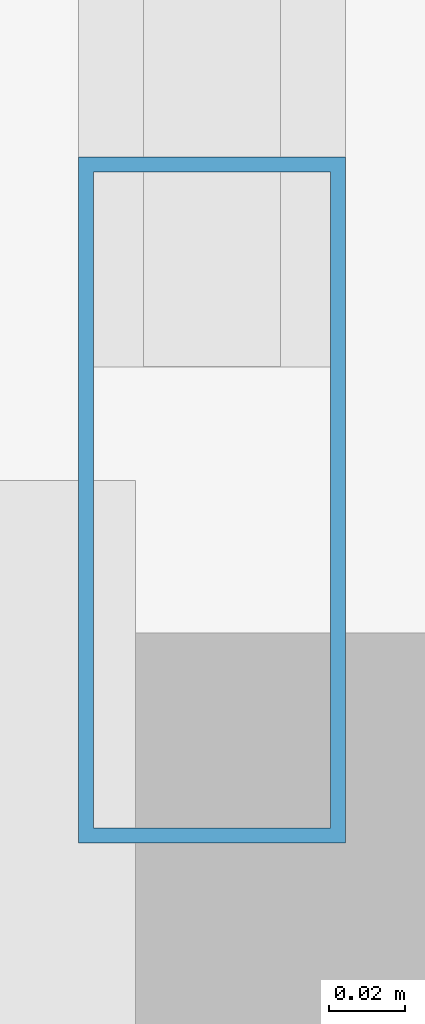
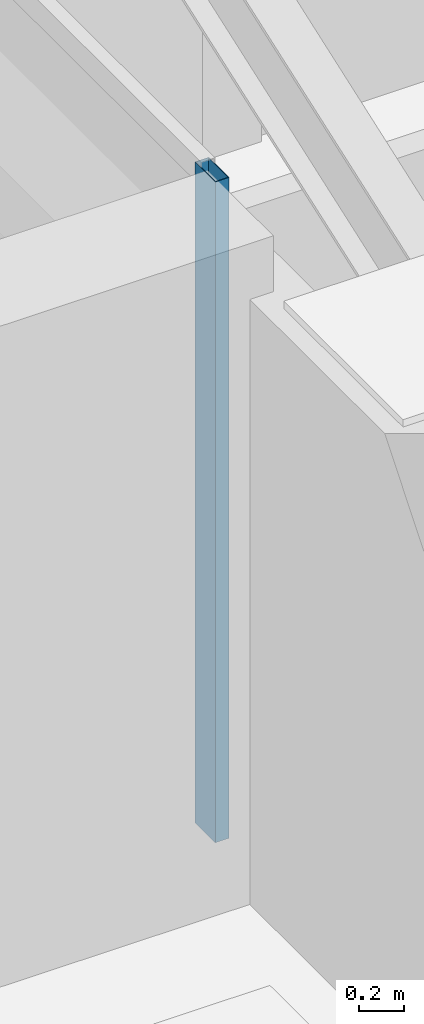
# One storey, part 7 of 42: 1 member, 1 element without a shape of its own.
"""IFC4 building model written with IfcOpenShell, lengths in metres."""

from ifc_helpers import new_model, si_unit, direction, frame, origin, origin_2d, place, context, subcontext, project, spatial, hollow_rectangle, extrude, material, material_profile, profile_set, type_object, element, aggregate, save


model = new_model("IFC4")

# Units and contexts
model_context = context("Model", 3, precision=1e-05, world=origin(), true_north=direction((0.0, 1.0)))
body_context = subcontext(model_context, "Body", "Model", "MODEL_VIEW")
ifc_project = project(units=[si_unit("LENGTHUNIT", "METRE"), si_unit("AREAUNIT", "SQUARE_METRE"), si_unit("VOLUMEUNIT", "CUBIC_METRE"), si_unit("PLANEANGLEUNIT", "RADIAN"), si_unit("MASSUNIT", "GRAM", prefix="KILO")], contexts=[model_context])

# Site, building, storey
site_placement = place(None, origin())
site = spatial("IfcSite", under=ifc_project, at=site_placement, CompositionType="ELEMENT")
building_placement = place(site_placement, origin())
building = spatial("IfcBuilding", under=site, at=building_placement, Name="Tashvorn Skyway Center", CompositionType="ELEMENT")
storey_placement = place(building_placement, frame((0.0, 0.0, 196.050048828125)))
storey = spatial("IfcBuildingStorey", under=building, at=storey_placement, Name="L53", CompositionType="ELEMENT", Elevation=196.050048828125)

# Curtain wall, member
ifc_material = material(Name="Thermally broken bronze-anodized aluminium 6063-T6", Category="aluminium")
curtain_wall_type = type_object("IfcCurtainWallType", Name="CW-CW-Z4", PredefinedType="NOTDEFINED", material=ifc_material)
curtain_wall_placement = place(storey_placement, origin())
curtain_wall = element("IfcCurtainWall", 1, at=curtain_wall_placement, inside=storey, type_object=curtain_wall_type, Name="Tower 1 L53 West Curtain Wall R", PredefinedType="NOTDEFINED")
ifc_material_profile = material_profile(ifc_material, hollow_rectangle(XDim=0.070068359375, YDim=0.179931640625, WallThickness=0.00390625, at=origin_2d()), Name="ALU-MULL-70x180")
ifc_profile_set = profile_set([ifc_material_profile], Name="Thermally broken bronze-anodized aluminium 6063-T6")
member_type = type_object("IfcMemberType", Name="CWM-CW-Z4", PredefinedType="MULLION", material=ifc_profile_set)
member_placement = place(storey_placement, frame((24.320068359375, 38.635009765625, 0.0), z_axis=(0.0, 0.0, 1.0), x_axis=(-1.0, 0.0, 0.0)))
member = element("IfcMember", 2, at=member_placement, type_object=member_type, Name="CW-Z4 mullion 1", PredefinedType="MULLION", context=body_context, shape_type="SweptSolid", body=[
    extrude(hollow_rectangle(XDim=0.070068359375, YDim=0.179931640625, WallThickness=0.00390625, at=origin_2d()), origin(), (0.0, 0.0, 1.0), 3.550048828125),
])
aggregate(curtain_wall, [member])

save(model, "model.ifc")
